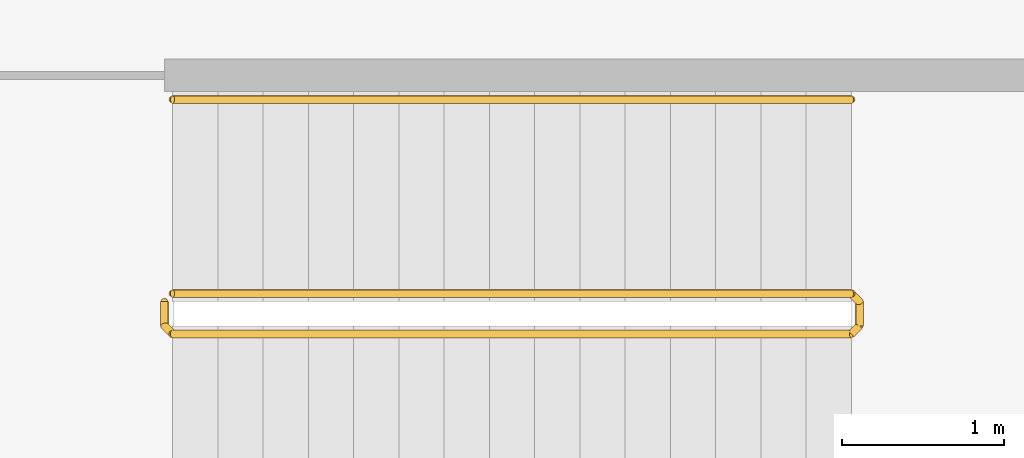
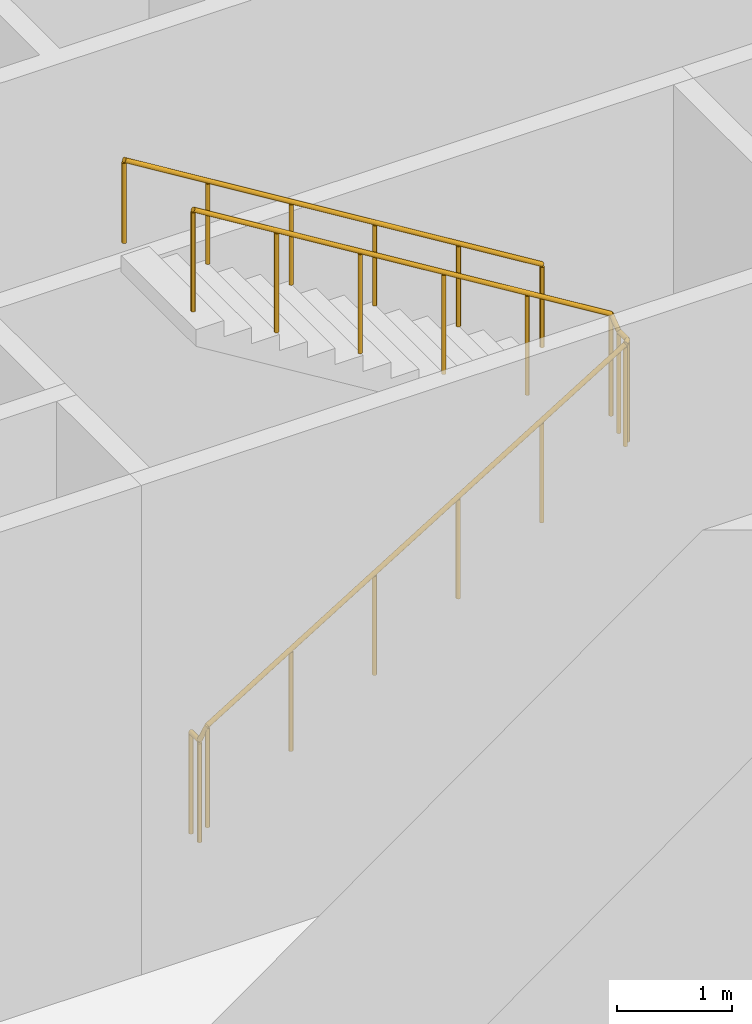
# One storey, part 32 of 37: 2 railings.
"""IFC4 building model written with IfcOpenShell, lengths in metres."""

from ifc_helpers import new_model, si_unit, direction, frame, origin, origin_2d, place, context, subcontext, project, spatial, circle, extrude, material, type_object, element, save


model = new_model("IFC4")

# Units and contexts
model_context = context("Model", 3, precision=1e-05, world=origin(), true_north=direction((0.0, 1.0)))
body_context = subcontext(model_context, "Body", "Model", "MODEL_VIEW")
ifc_project = project(units=[si_unit("LENGTHUNIT", "METRE"), si_unit("AREAUNIT", "SQUARE_METRE"), si_unit("VOLUMEUNIT", "CUBIC_METRE"), si_unit("PLANEANGLEUNIT", "RADIAN"), si_unit("MASSUNIT", "GRAM", prefix="KILO")], contexts=[model_context])

# Site, building, storey
site_placement = place(None, origin())
site = spatial("IfcSite", under=ifc_project, at=site_placement, CompositionType="ELEMENT")
building_placement = place(site_placement, origin())
building = spatial("IfcBuilding", under=site, at=building_placement, Name="Corvane Civic Tower", CompositionType="ELEMENT")
storey_placement = place(building_placement, frame((0.0, 0.0, 11.5)))
storey = spatial("IfcBuildingStorey", under=building, at=storey_placement, Name="L02", CompositionType="ELEMENT", Elevation=11.5)

# Railings
ifc_material_1 = material(Name="Steel ASTM A572 Gr 50", Category="steel")
railing_type_1 = type_object("IfcRailingType", Name="ST-GUARD-1100", PredefinedType="GUARDRAIL", material=ifc_material_1)
railing_1_placement = place(storey_placement, frame((-8.949951171875, -8.75, 0.0)))
element("IfcRailing", 1, at=railing_1_placement, inside=storey, type_object=railing_type_1, Name="L02 ST3 stair guard 1", PredefinedType="GUARDRAIL", context=body_context, shape_type="SweptSolid", body=[
    extrude(circle(Radius=0.02392578125, at=origin_2d()), frame((0.0, 0.0, 1.076171875), z_axis=(0.0, -1.0, 0.0), x_axis=(1.0, 0.0, 0.0)), (0.0, 0.0, 1.0), 0.14990234375),
    extrude(circle(Radius=0.02392578125, at=origin_2d()), frame((0.0, -0.14990234375, 1.076171875), z_axis=(0.269255725606, -0.269255725606, 0.92466356501), x_axis=(0.707106781187, 0.707106781187, 0.0)), (0.0, 0.0, 1.0), 0.185791015625),
    extrude(circle(Radius=0.02392578125, at=origin_2d()), frame((0.050048828125, -0.199951171875, 1.248046875), z_axis=(0.852242915053, 0.0, 0.523146264196), x_axis=(0.0, 1.0, 0.0)), (0.0, 0.0, 1.0), 4.92822265625),
    extrude(circle(Radius=0.02392578125, at=origin_2d()), frame((4.25, -0.199951171875, 3.826171875), z_axis=(0.707106781187, 0.707106781187, 0.0), x_axis=(-0.707106781187, 0.707106781187, 0.0)), (0.0, 0.0, 1.0), 0.07080078125),
    extrude(circle(Radius=0.02392578125, at=origin_2d()), frame((4.300048828125, -0.14990234375, 3.826171875), z_axis=(0.0, 1.0, 0.0), x_axis=(-1.0, 0.0, 0.0)), (0.0, 0.0, 1.0), 0.14990234375),
    extrude(circle(Radius=0.02392578125, at=origin_2d()), frame((4.300048828125, 0.0, 3.826171875), z_axis=(-0.269255725606, 0.269255725606, 0.92466356501), x_axis=(-0.707106781187, -0.707106781187, 0.0)), (0.0, 0.0, 1.0), 0.185791015625),
    extrude(circle(Radius=0.02392578125, at=origin_2d()), frame((4.25, 0.050048828125, 3.998046875), z_axis=(-0.852242915053, 0.0, 0.523146264196), x_axis=(0.0, -1.0, 0.0)), (0.0, 0.0, 1.0), 4.92822265625),
    extrude(circle(Radius=0.02099609375, at=origin_2d()), origin(), (0.0, 0.0, 1.0), 1.052001953125),
    extrude(circle(Radius=0.02099609375, at=origin_2d()), frame((0.0, -0.14990234375, 0.0)), (0.0, 0.0, 1.0), 1.052001953125),
    extrude(circle(Radius=0.02099609375, at=origin_2d()), frame((0.050048828125, -0.199951171875, 0.171875)), (0.0, 0.0, 1.0), 1.052001953125),
    extrude(circle(Radius=0.02099609375, at=origin_2d()), frame((0.89013671875, -0.199951171875, 0.6875)), (0.0, 0.0, 1.0), 1.052001953125),
    extrude(circle(Radius=0.02099609375, at=origin_2d()), frame((1.72998046875, -0.199951171875, 1.203125)), (0.0, 0.0, 1.0), 1.052001953125),
    extrude(circle(Radius=0.02099609375, at=origin_2d()), frame((2.570068359375, -0.199951171875, 1.71875)), (0.0, 0.0, 1.0), 1.052001953125),
    extrude(circle(Radius=0.02099609375, at=origin_2d()), frame((3.409912109375, -0.199951171875, 2.234375)), (0.0, 0.0, 1.0), 1.052001953125),
    extrude(circle(Radius=0.02099609375, at=origin_2d()), frame((4.25, -0.199951171875, 2.75)), (0.0, 0.0, 1.0), 1.052001953125),
    extrude(circle(Radius=0.02099609375, at=origin_2d()), frame((4.300048828125, -0.14990234375, 2.75)), (0.0, 0.0, 1.0), 1.052001953125),
    extrude(circle(Radius=0.02099609375, at=origin_2d()), frame((4.300048828125, 0.0, 2.75)), (0.0, 0.0, 1.0), 1.052001953125),
    extrude(circle(Radius=0.02099609375, at=origin_2d()), frame((4.25, 0.050048828125, 2.921875)), (0.0, 0.0, 1.0), 1.052001953125),
    extrude(circle(Radius=0.02099609375, at=origin_2d()), frame((3.409912109375, 0.050048828125, 3.4375)), (0.0, 0.0, 1.0), 1.052001953125),
    extrude(circle(Radius=0.02099609375, at=origin_2d()), frame((2.570068359375, 0.050048828125, 3.953125)), (0.0, 0.0, 1.0), 1.052001953125),
    extrude(circle(Radius=0.02099609375, at=origin_2d()), frame((1.72998046875, 0.050048828125, 4.46875)), (0.0, 0.0, 1.0), 1.052001953125),
    extrude(circle(Radius=0.02099609375, at=origin_2d()), frame((0.89013671875, 0.050048828125, 4.984375)), (0.0, 0.0, 1.0), 1.052001953125),
    extrude(circle(Radius=0.02099609375, at=origin_2d()), frame((0.050048828125, 0.050048828125, 5.5)), (0.0, 0.0, 1.0), 1.052001953125),
])
ifc_material_2 = material(Name="Steel ASTM A572 Gr 50", Category="steel")
railing_type_2 = type_object("IfcRailingType", Name="ST-HANDRAIL-900", PredefinedType="HANDRAIL", material=ifc_material_2)
railing_2_placement = place(storey_placement, frame((-4.699951171875, -7.5, 2.921875)))
element("IfcRailing", 2, at=railing_2_placement, inside=storey, type_object=railing_type_2, Name="L02 ST3 stair handrail 2", PredefinedType="HANDRAIL", context=body_context, shape_type="SweptSolid", body=[
    extrude(circle(Radius=0.02392578125, at=origin_2d()), frame((0.0, 0.0, 0.8759765625), z_axis=(-0.852242915053, 0.0, 0.523146264196), x_axis=(0.0, -1.0, 0.0)), (0.0, 0.0, 1.0), 4.92822265625),
    extrude(circle(Radius=0.02099609375, at=origin_2d()), origin(), (0.0, 0.0, 1.0), 0.851806640625),
    extrude(circle(Radius=0.02099609375, at=origin_2d()), frame((-0.840087890625, 0.0, 0.515625)), (0.0, 0.0, 1.0), 0.851806640625),
    extrude(circle(Radius=0.02099609375, at=origin_2d()), frame((-1.679931640625, 0.0, 1.03125)), (0.0, 0.0, 1.0), 0.851806640625),
    extrude(circle(Radius=0.02099609375, at=origin_2d()), frame((-2.52001953125, 0.0, 1.546875)), (0.0, 0.0, 1.0), 0.851806640625),
    extrude(circle(Radius=0.02099609375, at=origin_2d()), frame((-3.35986328125, 0.0, 2.0625)), (0.0, 0.0, 1.0), 0.851806640625),
    extrude(circle(Radius=0.02099609375, at=origin_2d()), frame((-4.199951171875, 0.0, 2.578125)), (0.0, 0.0, 1.0), 0.851806640625),
])

save(model, "model.ifc")
